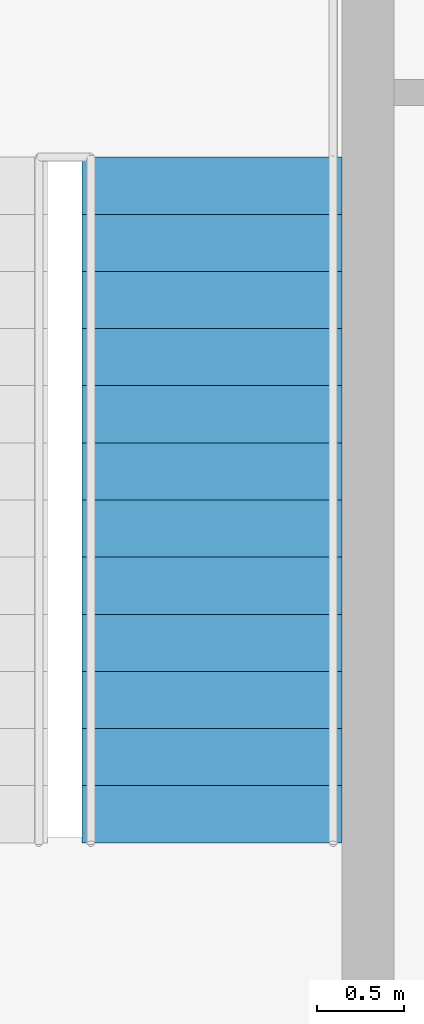
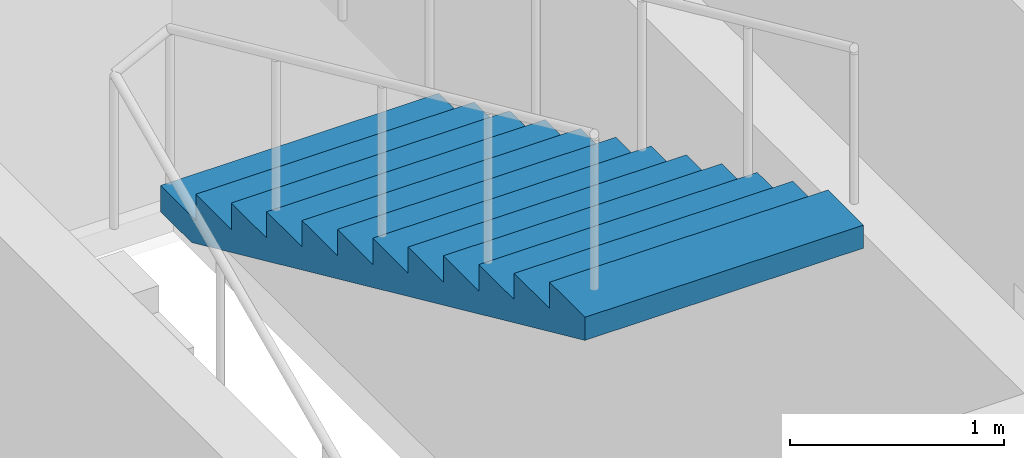
# One storey, part 10 of 11: 1 stair flight, 1 element without a shape of its own.
"""IFC4 building model written with IfcOpenShell, lengths in metres."""

from ifc_helpers import new_model, si_unit, direction, frame, origin, place, context, subcontext, project, spatial, polygons, material, type_object, element, aggregate, save


model = new_model("IFC4")

# Units and contexts
model_context = context("Model", 3, precision=1e-05, world=origin(), true_north=direction((0.0, 1.0)))
body_context = subcontext(model_context, "Body", "Model", "MODEL_VIEW")
ifc_project = project(units=[si_unit("LENGTHUNIT", "METRE"), si_unit("AREAUNIT", "SQUARE_METRE"), si_unit("VOLUMEUNIT", "CUBIC_METRE"), si_unit("PLANEANGLEUNIT", "RADIAN"), si_unit("MASSUNIT", "GRAM", prefix="KILO")], contexts=[model_context])

# Site, building, storey
site_placement = place(None, origin())
site = spatial("IfcSite", under=ifc_project, at=site_placement, CompositionType="ELEMENT")
building_placement = place(site_placement, origin())
building = spatial("IfcBuilding", under=site, at=building_placement, Name="Njiva Tower", CompositionType="ELEMENT")
storey_placement = place(building_placement, frame((0.0, 0.0, 216.0)))
storey = spatial("IfcBuildingStorey", under=building, at=storey_placement, Name="L48", CompositionType="ELEMENT", Elevation=216.0)

# Stair, stair flight
ifc_material = material(Name="Concrete C40/50", Category="concrete")
stair_type = type_object("IfcStairType", Name="ST4 Exit stair 1500", PredefinedType="HALF_TURN_STAIR", material=ifc_material)
stair_placement = place(storey_placement, origin())
stair = element("IfcStair", 1, at=stair_placement, inside=storey, type_object=stair_type, Name="Stair B", PredefinedType="HALF_TURN_STAIR")
stair_flight_type = type_object("IfcStairFlightType", Name="FL4 Stair flight 1500", PredefinedType="STRAIGHT", material=ifc_material)
stair_flight_placement = place(storey_placement, frame((13.45, 15.06, 1.95), z_axis=(0.0, 0.0, 1.0), x_axis=(0.0, -1.0, 0.0)))
stair_flight = element("IfcStairFlight", 2, at=stair_flight_placement, type_object=stair_flight_type, Name="ST-B flight 2", NumberOfRisers=13, NumberOfTreads=12, PredefinedType="STRAIGHT", RiserHeight=0.15, TreadLength=0.33, context=body_context, shape_type="Tessellation", body=[
    polygons([(0.0, 0.75, 0.0), (0.0, 0.375, 0.0), (0.0, 0.0, 0.0), (0.0, -0.375, 0.0), (0.0, -0.75, 0.0), (0.0, 0.75, 0.15), (0.0, 0.375, 0.15), (0.0, 0.0, 0.15), (0.0, -0.375, 0.15), (0.0, -0.75, 0.15), (0.33, 0.75, 0.15), (0.33, 0.375, 0.15), (0.33, 0.0, 0.15), (0.33, -0.375, 0.15), (0.33, -0.75, 0.15), (0.33, 0.75, 0.3), (0.33, 0.375, 0.3), (0.33, 0.0, 0.3), (0.33, -0.375, 0.3), (0.33, -0.75, 0.3), (0.66, 0.75, 0.3), (0.66, 0.375, 0.3), (0.66, 0.0, 0.3), (0.66, -0.375, 0.3), (0.66, -0.75, 0.3), (0.66, 0.75, 0.45), (0.66, 0.375, 0.45), (0.66, 0.0, 0.45), (0.66, -0.375, 0.45), (0.66, -0.75, 0.45), (0.99, 0.75, 0.45), (0.99, 0.375, 0.45), (0.99, 0.0, 0.45), (0.99, -0.375, 0.45), (0.99, -0.75, 0.45), (0.99, 0.75, 0.6), (0.99, 0.375, 0.6), (0.99, 0.0, 0.6), (0.99, -0.375, 0.6), (0.99, -0.75, 0.6), (1.32, 0.75, 0.6), (1.32, 0.375, 0.6), (1.32, 0.0, 0.6), (1.32, -0.375, 0.6), (1.32, -0.75, 0.6), (1.32, 0.75, 0.75), (1.32, 0.375, 0.75), (1.32, 0.0, 0.75), (1.32, -0.375, 0.75), (1.32, -0.75, 0.75), (1.65, 0.75, 0.75), (1.65, 0.375, 0.75), (1.65, 0.0, 0.75), (1.65, -0.375, 0.75), (1.65, -0.75, 0.75), (1.65, 0.75, 0.9), (1.65, 0.375, 0.9), (1.65, 0.0, 0.9), (1.65, -0.375, 0.9), (1.65, -0.75, 0.9), (1.98, 0.75, 0.9), (1.98, 0.375, 0.9), (1.98, 0.0, 0.9), (1.98, -0.375, 0.9), (1.98, -0.75, 0.9), (1.98, 0.75, 1.05), (1.98, 0.375, 1.05), (1.98, 0.0, 1.05), (1.98, -0.375, 1.05), (1.98, -0.75, 1.05), (2.31, 0.75, 1.05), (2.31, 0.375, 1.05), (2.31, 0.0, 1.05), (2.31, -0.375, 1.05), (2.31, -0.75, 1.05), (2.31, 0.75, 1.2), (2.31, 0.375, 1.2), (2.31, 0.0, 1.2), (2.31, -0.375, 1.2), (2.31, -0.75, 1.2), (2.64, 0.75, 1.2), (2.64, 0.375, 1.2), (2.64, 0.0, 1.2), (2.64, -0.375, 1.2), (2.64, -0.75, 1.2), (2.64, 0.75, 1.35), (2.64, 0.375, 1.35), (2.64, 0.0, 1.35), (2.64, -0.375, 1.35), (2.64, -0.75, 1.35), (2.97, 0.75, 1.35), (2.97, 0.375, 1.35), (2.97, 0.0, 1.35), (2.97, -0.375, 1.35), (2.97, -0.75, 1.35), (2.97, 0.75, 1.5), (2.97, 0.375, 1.5), (2.97, 0.0, 1.5), (2.97, -0.375, 1.5), (2.97, -0.75, 1.5), (3.3, 0.75, 1.5), (3.3, 0.375, 1.5), (3.3, 0.0, 1.5), (3.3, -0.375, 1.5), (3.3, -0.75, 1.5), (3.3, 0.75, 1.65), (3.3, 0.375, 1.65), (3.3, 0.0, 1.65), (3.3, -0.375, 1.65), (3.3, -0.75, 1.65), (3.63, 0.75, 1.65), (3.63, 0.375, 1.65), (3.63, 0.0, 1.65), (3.63, -0.375, 1.65), (3.63, -0.75, 1.65), (3.63, 0.75, 1.8), (3.63, 0.375, 1.8), (3.63, 0.0, 1.8), (3.63, -0.375, 1.8), (3.63, -0.75, 1.8), (3.96, 0.75, 1.8), (3.96, 0.375, 1.8), (3.96, 0.0, 1.8), (3.96, -0.375, 1.8), (3.96, -0.75, 1.8), (3.96, 0.75, 1.6682), (3.96, 0.375, 1.6682), (3.96, 0.0, 1.6682), (3.96, -0.375, 1.6682), (3.96, -0.75, 1.6682), (0.29, 0.75, 0.0), (0.29, 0.375, 0.0), (0.29, 0.0, 0.0), (0.29, -0.375, 0.0), (0.29, -0.75, 0.0)], [[[1, 6, 11, 16, 21, 26, 31, 36, 41, 46, 51, 56, 61, 66, 71, 76, 81, 86, 91, 96, 101, 106, 111, 116, 121, 126, 131]], [[135, 130, 125, 120, 115, 110, 105, 100, 95, 90, 85, 80, 75, 70, 65, 60, 55, 50, 45, 40, 35, 30, 25, 20, 15, 10, 5]], [[6, 1, 2, 7]], [[7, 2, 3, 8]], [[8, 3, 4, 9]], [[9, 4, 5, 10]], [[11, 6, 7, 12]], [[12, 7, 8, 13]], [[13, 8, 9, 14]], [[14, 9, 10, 15]], [[16, 11, 12, 17]], [[17, 12, 13, 18]], [[18, 13, 14, 19]], [[19, 14, 15, 20]], [[21, 16, 17, 22]], [[22, 17, 18, 23]], [[23, 18, 19, 24]], [[24, 19, 20, 25]], [[26, 21, 22, 27]], [[27, 22, 23, 28]], [[28, 23, 24, 29]], [[29, 24, 25, 30]], [[31, 26, 27, 32]], [[32, 27, 28, 33]], [[33, 28, 29, 34]], [[34, 29, 30, 35]], [[36, 31, 32, 37]], [[37, 32, 33, 38]], [[38, 33, 34, 39]], [[39, 34, 35, 40]], [[41, 36, 37, 42]], [[42, 37, 38, 43]], [[43, 38, 39, 44]], [[44, 39, 40, 45]], [[46, 41, 42, 47]], [[47, 42, 43, 48]], [[48, 43, 44, 49]], [[49, 44, 45, 50]], [[51, 46, 47, 52]], [[52, 47, 48, 53]], [[53, 48, 49, 54]], [[54, 49, 50, 55]], [[56, 51, 52, 57]], [[57, 52, 53, 58]], [[58, 53, 54, 59]], [[59, 54, 55, 60]], [[61, 56, 57, 62]], [[62, 57, 58, 63]], [[63, 58, 59, 64]], [[64, 59, 60, 65]], [[66, 61, 62, 67]], [[67, 62, 63, 68]], [[68, 63, 64, 69]], [[69, 64, 65, 70]], [[71, 66, 67, 72]], [[72, 67, 68, 73]], [[73, 68, 69, 74]], [[74, 69, 70, 75]], [[76, 71, 72, 77]], [[77, 72, 73, 78]], [[78, 73, 74, 79]], [[79, 74, 75, 80]], [[81, 76, 77, 82]], [[82, 77, 78, 83]], [[83, 78, 79, 84]], [[84, 79, 80, 85]], [[86, 81, 82, 87]], [[87, 82, 83, 88]], [[88, 83, 84, 89]], [[89, 84, 85, 90]], [[91, 86, 87, 92]], [[92, 87, 88, 93]], [[93, 88, 89, 94]], [[94, 89, 90, 95]], [[96, 91, 92, 97]], [[97, 92, 93, 98]], [[98, 93, 94, 99]], [[99, 94, 95, 100]], [[101, 96, 97, 102]], [[102, 97, 98, 103]], [[103, 98, 99, 104]], [[104, 99, 100, 105]], [[106, 101, 102, 107]], [[107, 102, 103, 108]], [[108, 103, 104, 109]], [[109, 104, 105, 110]], [[111, 106, 107, 112]], [[112, 107, 108, 113]], [[113, 108, 109, 114]], [[114, 109, 110, 115]], [[116, 111, 112, 117]], [[117, 112, 113, 118]], [[118, 113, 114, 119]], [[119, 114, 115, 120]], [[121, 116, 117, 122]], [[122, 117, 118, 123]], [[123, 118, 119, 124]], [[124, 119, 120, 125]], [[126, 121, 122, 127]], [[127, 122, 123, 128]], [[128, 123, 124, 129]], [[129, 124, 125, 130]], [[131, 126, 127, 132]], [[132, 127, 128, 133]], [[133, 128, 129, 134]], [[134, 129, 130, 135]], [[1, 131, 132, 2]], [[2, 132, 133, 3]], [[3, 133, 134, 4]], [[4, 134, 135, 5]]], closed=True),
])
aggregate(stair, [stair_flight])

save(model, "model.ifc")
